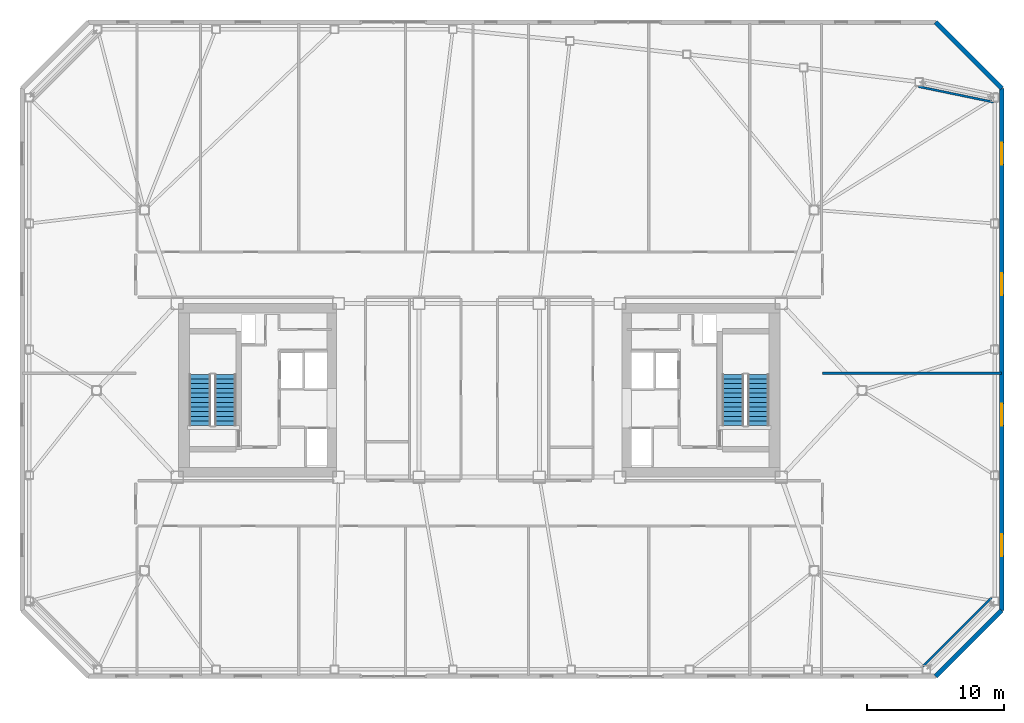
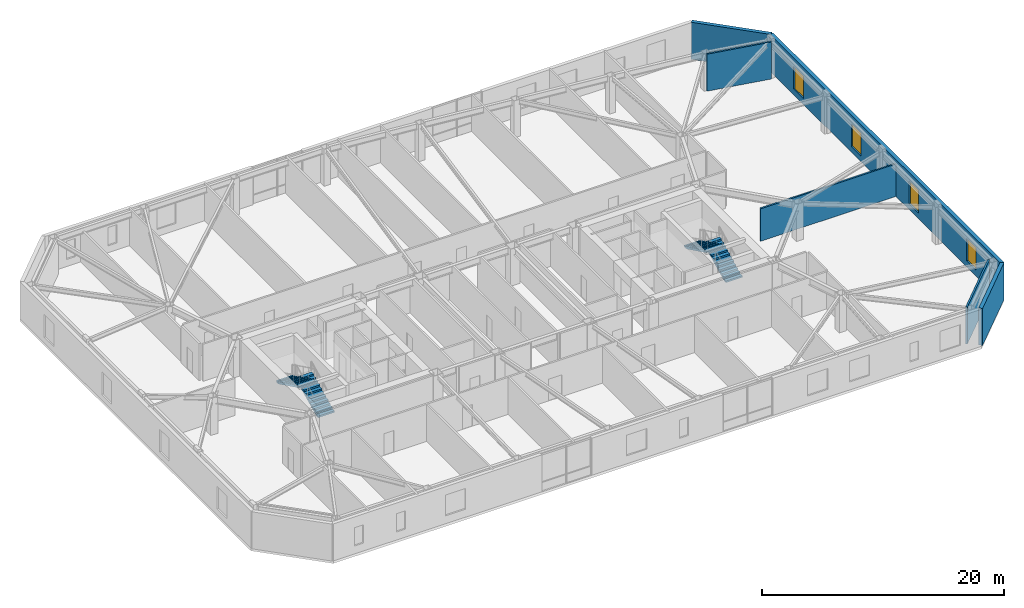
# One storey, part 14 of 18: 6 walls, 4 stair flights, 4 windows, 4 openings, 2 elements without a shape of their own.
"""IFC4 building model written with IfcOpenShell, lengths in metres."""

from ifc_helpers import new_model, si_unit, direction, frame, frame_2d, origin, place, context, subcontext, project, spatial, polyline, rectangle, outline, extrude, material, layer, layer_set, type_object, element, fill, aggregate, save


model = new_model("IFC4")

# Units and contexts
model_context = context("Model", 3, precision=1e-05, world=origin(), true_north=direction((0.0, 1.0)))
body_context = subcontext(model_context, "Body", "Model", "MODEL_VIEW")
ifc_project = project(units=[si_unit("LENGTHUNIT", "METRE"), si_unit("AREAUNIT", "SQUARE_METRE"), si_unit("VOLUMEUNIT", "CUBIC_METRE"), si_unit("PLANEANGLEUNIT", "RADIAN"), si_unit("MASSUNIT", "GRAM", prefix="KILO")], contexts=[model_context])

# Site, building, storey
site_placement = place(None, origin())
site = spatial("IfcSite", under=ifc_project, at=site_placement, CompositionType="ELEMENT")
building_placement = place(site_placement, origin())
building = spatial("IfcBuilding", under=site, at=building_placement, Name="Tavrogorsk Clinical Tower", CompositionType="ELEMENT")
storey_placement = place(building_placement, frame((0.0, 0.0, 196.199951171875)))
storey = spatial("IfcBuildingStorey", under=building, at=storey_placement, Name="L45", CompositionType="ELEMENT", Elevation=196.199951171875)

# Walls
ifc_material_1 = material(Name="Lightweight concrete blockwork B15", Category="masonry")
ifc_layer_1 = layer(ifc_material_1, 0.159912109375)
ifc_layer_set_1 = layer_set([ifc_layer_1], Name="Lightweight concrete blockwork B15")
wall_type_1 = type_object("IfcWallType", Name="PartitionWall_160", PredefinedType="PARTITIONING", material=ifc_layer_set_1)
wall_1_placement = place(storey_placement, frame((32.4794921875, -20.1796875, 0.0), z_axis=(0.0, 0.0, 1.0), x_axis=(0.707106781187, 0.707106781187, 0.0)))
element("IfcWall", 1, at=wall_1_placement, inside=storey, type_object=wall_type_1, Name="L45 Corner Exoskeleton Brace Furring Wall 1", PredefinedType="PARTITIONING", context=body_context, shape_type="SweptSolid", body=[
    extrude(rectangle(XDim=7.071044921875, YDim=0.159912109375, at=frame_2d((3.53564453125, 0.0))), origin(), (0.0, 0.0, 1.0), 3.739990234375),
])
wall_2_placement = place(storey_placement, frame((37.65087890625, 21.0869140625, 0.0), z_axis=(0.0, 0.0, 1.0), x_axis=(-0.979184618318, 0.202971631636, 0.0)))
element("IfcWall", 2, at=wall_2_placement, inside=storey, type_object=wall_type_1, Name="L45 Corner Exoskeleton Brace Furring Wall 2", PredefinedType="PARTITIONING", context=body_context, shape_type="SweptSolid", body=[
    extrude(rectangle(XDim=5.64599609375, YDim=0.159912109375, at=frame_2d((2.822998046875, 0.0))), origin(), (0.0, 0.0, 1.0), 3.739990234375),
])
wall_3_placement = place(storey_placement, frame((25.1298828125, 1.25, 0.0), z_axis=(0.0, 0.0, 1.0), x_axis=(1.0, 0.0, 0.0)))
element("IfcWall", 3, at=wall_3_placement, inside=storey, type_object=wall_type_1, Name="L45 E Wing Divider 1", PredefinedType="PARTITIONING", context=body_context, shape_type="SweptSolid", body=[
    extrude(rectangle(XDim=13.080078125, YDim=0.159912109375, at=frame_2d((6.5400390625, 0.0))), origin(), (0.0, 0.0, 1.0), 3.28515625),
])

# Wall, openings, windows
ifc_material_2 = material(Name="Precast concrete B45 with limestone cladding", Category="masonry")
ifc_layer_2 = layer(ifc_material_2, 0.340087890625)
ifc_layer_set_2 = layer_set([ifc_layer_2], Name="Precast concrete B45 with limestone cladding")
wall_type_2 = type_object("IfcWallType", Name="PrecastLimestoneWall_340", PredefinedType="STANDARD", material=ifc_layer_set_2)
wall_4_placement = place(storey_placement, frame((38.22998046875, -16.10009765625, 0.0), z_axis=(0.0, 0.0, 1.0), x_axis=(0.0, 1.0, 0.0)))
wall_4 = element("IfcWall", 4, at=wall_4_placement, inside=storey, type_object=wall_type_2, Name="L45 E Pleated Limestone Wing Wall", PredefinedType="STANDARD", context=body_context, shape_type="SweptSolid", body=[
    extrude(rectangle(XDim=38.2001953125, YDim=0.340087890625, at=frame_2d((19.10009765625, 0.0))), origin(), (0.0, 0.0, 1.0), 3.739990234375),
])
opening_1_placement = place(wall_4_placement, frame((3.97509765625, 0.0, 0.580078125)))
opening_1 = element("IfcOpeningElement", 5, at=opening_1_placement, cuts=wall_4, Name="Opening WN-07", PredefinedType="OPENING", context=body_context, shape_type="SweptSolid", body=[
    extrude(rectangle(XDim=1.60009765625, YDim=2.300048828125, at=frame_2d((0.800048828125, 1.14990234375))), frame((0.0, 0.179931640625, 0.0), z_axis=(0.0, -1.0, 0.0), x_axis=(1.0, 0.0, 0.0)), (0.0, 0.0, 1.0), 0.360107421875),
])
opening_2_placement = place(wall_4_placement, frame((13.52490234375, 0.0, 0.580078125)))
opening_2 = element("IfcOpeningElement", 6, at=opening_2_placement, cuts=wall_4, Name="Opening WN-07", PredefinedType="OPENING", context=body_context, shape_type="SweptSolid", body=[
    extrude(rectangle(XDim=1.60009765625, YDim=2.300048828125, at=frame_2d((0.800048828125, 1.14990234375))), frame((0.0, 0.179931640625, 0.0), z_axis=(0.0, -1.0, 0.0), x_axis=(1.0, 0.0, 0.0)), (0.0, 0.0, 1.0), 0.360107421875),
])
opening_3_placement = place(wall_4_placement, frame((23.074951171875, 0.0, 0.580078125)))
opening_3 = element("IfcOpeningElement", 7, at=opening_3_placement, cuts=wall_4, Name="Opening WN-07", PredefinedType="OPENING", context=body_context, shape_type="SweptSolid", body=[
    extrude(rectangle(XDim=1.60009765625, YDim=2.300048828125, at=frame_2d((0.800048828125, 1.14990234375))), frame((0.0, 0.179931640625, 0.0), z_axis=(0.0, -1.0, 0.0), x_axis=(1.0, 0.0, 0.0)), (0.0, 0.0, 1.0), 0.360107421875),
])
opening_4_placement = place(wall_4_placement, frame((32.625, 0.0, 0.580078125)))
opening_4 = element("IfcOpeningElement", 8, at=opening_4_placement, cuts=wall_4, Name="Opening WN-07", PredefinedType="OPENING", context=body_context, shape_type="SweptSolid", body=[
    extrude(rectangle(XDim=1.60009765625, YDim=2.300048828125, at=frame_2d((0.800048828125, 1.14990234375))), frame((0.0, 0.179931640625, 0.0), z_axis=(0.0, -1.0, 0.0), x_axis=(1.0, 0.0, 0.0)), (0.0, 0.0, 1.0), 0.360107421875),
])
ifc_material_3 = material(Name="Thermally broken aluminium frame and triple IGU", Category="aluminium")
window_type = type_object("IfcWindowType", Name="PleatSlotWin_1600x2300", PartitioningType="SINGLE_PANEL", PredefinedType="WINDOW", material=ifc_material_3)
window_1_placement = place(opening_1_placement, origin())
window_1 = element("IfcWindow", 9, at=window_1_placement, inside=storey, type_object=window_type, Name="L45 E Pleat Slot Window 1", OverallHeight=2.300048828125, OverallWidth=1.60009765625, PartitioningType="SINGLE_PANEL", PredefinedType="WINDOW", context=body_context, shape_type="SweptSolid", body=[
    extrude(rectangle(XDim=1.60009765625, YDim=2.300048828125, at=frame_2d((0.800048828125, 1.14990234375))), frame((0.0, 0.030029296875, 0.0), z_axis=(0.0, -1.0, 0.0), x_axis=(1.0, 0.0, 0.0)), (0.0, 0.0, 1.0), 0.06005859375),
])
fill(opening_1, window_1)
window_2_placement = place(opening_2_placement, origin())
window_2 = element("IfcWindow", 10, at=window_2_placement, inside=storey, type_object=window_type, Name="L45 E Pleat Slot Window 2", OverallHeight=2.300048828125, OverallWidth=1.60009765625, PartitioningType="SINGLE_PANEL", PredefinedType="WINDOW", context=body_context, shape_type="SweptSolid", body=[
    extrude(rectangle(XDim=1.60009765625, YDim=2.300048828125, at=frame_2d((0.800048828125, 1.14990234375))), frame((0.0, 0.030029296875, 0.0), z_axis=(0.0, -1.0, 0.0), x_axis=(1.0, 0.0, 0.0)), (0.0, 0.0, 1.0), 0.06005859375),
])
fill(opening_2, window_2)
window_3_placement = place(opening_3_placement, origin())
window_3 = element("IfcWindow", 11, at=window_3_placement, inside=storey, type_object=window_type, Name="L45 E Pleat Slot Window 3", OverallHeight=2.300048828125, OverallWidth=1.60009765625, PartitioningType="SINGLE_PANEL", PredefinedType="WINDOW", context=body_context, shape_type="SweptSolid", body=[
    extrude(rectangle(XDim=1.60009765625, YDim=2.300048828125, at=frame_2d((0.800048828125, 1.14990234375))), frame((0.0, 0.030029296875, 0.0), z_axis=(0.0, -1.0, 0.0), x_axis=(1.0, 0.0, 0.0)), (0.0, 0.0, 1.0), 0.06005859375),
])
fill(opening_3, window_3)
window_4_placement = place(opening_4_placement, origin())
window_4 = element("IfcWindow", 12, at=window_4_placement, inside=storey, type_object=window_type, Name="L45 E Pleat Slot Window 4", OverallHeight=2.300048828125, OverallWidth=1.60009765625, PartitioningType="SINGLE_PANEL", PredefinedType="WINDOW", context=body_context, shape_type="SweptSolid", body=[
    extrude(rectangle(XDim=1.60009765625, YDim=2.300048828125, at=frame_2d((0.800048828125, 1.14990234375))), frame((0.0, 0.030029296875, 0.0), z_axis=(0.0, -1.0, 0.0), x_axis=(1.0, 0.0, 0.0)), (0.0, 0.0, 1.0), 0.06005859375),
])
fill(opening_4, window_4)

# Walls
for number, where, z_axis, x_axis, name in (
    (13, (33.39990234375, -20.929931640625, 0.0), (0.0, 0.0, 1.0), (0.707124652085, 0.707088909836, 0.0), "L45 Chamfered Corner Wall 1"),
    (14, (38.22998046875, 22.10009765625, 0.0), (0.0, 0.0, 1.0), (-0.707124652085, 0.707088909836, 0.0), "L45 Chamfered Corner Wall 2"),
):
    element("IfcWall", number, at=place(storey_placement, frame(where, z_axis=z_axis, x_axis=x_axis)), inside=storey, type_object=wall_type_2, Name=name, PredefinedType="STANDARD", context=body_context, shape_type="SweptSolid", body=[
        extrude(rectangle(XDim=6.83056640625, YDim=0.340087890625, at=frame_2d((3.415283203125, 0.0))), origin(), (0.0, 0.0, 1.0), 3.739990234375),
    ])

# Stair, stair flights
ifc_material_4 = material(Name="Concrete B60", Category="concrete")
stair_type = type_object("IfcStairType", Name="CoreStairAssembly", PredefinedType="HALF_TURN_STAIR", material=ifc_material_4)
stair_1_placement = place(storey_placement, origin())
stair_1 = element("IfcStair", 15, at=stair_1_placement, inside=storey, type_object=stair_type, Name="L45 ST-W", PredefinedType="HALF_TURN_STAIR")
ifc_material_5 = material(Name="Concrete B60", Category="concrete")
stair_flight_type = type_object("IfcStairFlightType", Name="CoreStairFlight", PredefinedType="STRAIGHT", material=ifc_material_5)
stair_flight_1_placement = place(storey_placement, frame((-18.574951171875, -2.574951171875, 0.0), z_axis=(0.0, 0.0, 1.0), x_axis=(0.0, 1.0, 0.0)))
stair_flight_1 = element("IfcStairFlight", 16, at=stair_flight_1_placement, type_object=stair_flight_type, Name="ST-W flight 1", NumberOfRisers=12, NumberOfTreads=11, PredefinedType="STRAIGHT", RiserHeight=0.166666667, TreadLength=0.34, context=body_context, shape_type="SweptSolid", body=[
    extrude(outline(polyline([(0.0, 0.0), (0.0, 0.166748046875), (0.340087890625, 0.166748046875), (0.340087890625, 0.333251953125), (0.679931640625, 0.333251953125), (0.679931640625, 0.5), (1.02001953125, 0.5), (1.02001953125, 0.666748046875), (1.360107421875, 0.666748046875), (1.360107421875, 0.833251953125), (1.699951171875, 0.833251953125), (1.699951171875, 1.0), (2.0400390625, 1.0), (2.0400390625, 1.166748046875), (2.3798828125, 1.166748046875), (2.3798828125, 1.333251953125), (2.719970703125, 1.333251953125), (2.719970703125, 1.5), (3.06005859375, 1.5), (3.06005859375, 1.666748046875), (3.39990234375, 1.666748046875), (3.39990234375, 1.833251953125), (3.739990234375, 1.833251953125), (3.739990234375, 2.0), (3.739990234375, 1.66650390625), (0.340576171875, 0.0), (0.0, 0.0)])), frame((0.0, 0.77490234375, 0.0), z_axis=(0.0, -1.0, 0.0), x_axis=(1.0, 0.0, 0.0)), (0.0, 0.0, 1.0), 1.550048828125),
])
stair_flight_2_placement = place(storey_placement, frame((-20.425048828125, 1.1650390625, 2.0), z_axis=(0.0, 0.0, 1.0), x_axis=(0.0, -1.0, 0.0)))
stair_flight_2 = element("IfcStairFlight", 17, at=stair_flight_2_placement, type_object=stair_flight_type, Name="ST-W flight 2", NumberOfRisers=12, NumberOfTreads=11, PredefinedType="STRAIGHT", RiserHeight=0.166666667, TreadLength=0.34, context=body_context, shape_type="SweptSolid", body=[
    extrude(outline(polyline([(0.0, 0.0), (0.0, 0.166748046875), (0.340087890625, 0.166748046875), (0.340087890625, 0.333251953125), (0.679931640625, 0.333251953125), (0.679931640625, 0.5), (1.02001953125, 0.5), (1.02001953125, 0.666748046875), (1.360107421875, 0.666748046875), (1.360107421875, 0.833251953125), (1.699951171875, 0.833251953125), (1.699951171875, 1.0), (2.0400390625, 1.0), (2.0400390625, 1.166748046875), (2.3798828125, 1.166748046875), (2.3798828125, 1.333251953125), (2.719970703125, 1.333251953125), (2.719970703125, 1.5), (3.06005859375, 1.5), (3.06005859375, 1.666748046875), (3.39990234375, 1.666748046875), (3.39990234375, 1.833251953125), (3.739990234375, 1.833251953125), (3.739990234375, 2.0), (3.739990234375, 1.66650390625), (0.340576171875, 0.0), (0.0, 0.0)])), frame((0.0, 0.77490234375, 0.0), z_axis=(0.0, -1.0, 0.0), x_axis=(1.0, 0.0, 0.0)), (0.0, 0.0, 1.0), 1.550048828125),
])
aggregate(stair_1, [stair_flight_1, stair_flight_2])

stair_2_placement = place(storey_placement, origin())
stair_2 = element("IfcStair", 18, at=stair_2_placement, inside=storey, type_object=stair_type, Name="L45 ST-E", PredefinedType="HALF_TURN_STAIR")
stair_flight_3_placement = place(storey_placement, frame((20.425048828125, -2.574951171875, 0.0), z_axis=(0.0, 0.0, 1.0), x_axis=(0.0, 1.0, 0.0)))
stair_flight_3 = element("IfcStairFlight", 19, at=stair_flight_3_placement, type_object=stair_flight_type, Name="ST-E flight 1", NumberOfRisers=12, NumberOfTreads=11, PredefinedType="STRAIGHT", RiserHeight=0.166666667, TreadLength=0.34, context=body_context, shape_type="SweptSolid", body=[
    extrude(outline(polyline([(0.0, 0.0), (0.0, 0.166748046875), (0.340087890625, 0.166748046875), (0.340087890625, 0.333251953125), (0.679931640625, 0.333251953125), (0.679931640625, 0.5), (1.02001953125, 0.5), (1.02001953125, 0.666748046875), (1.360107421875, 0.666748046875), (1.360107421875, 0.833251953125), (1.699951171875, 0.833251953125), (1.699951171875, 1.0), (2.0400390625, 1.0), (2.0400390625, 1.166748046875), (2.3798828125, 1.166748046875), (2.3798828125, 1.333251953125), (2.719970703125, 1.333251953125), (2.719970703125, 1.5), (3.06005859375, 1.5), (3.06005859375, 1.666748046875), (3.39990234375, 1.666748046875), (3.39990234375, 1.833251953125), (3.739990234375, 1.833251953125), (3.739990234375, 2.0), (3.739990234375, 1.66650390625), (0.340576171875, 0.0), (0.0, 0.0)])), frame((0.0, 0.77490234375, 0.0), z_axis=(0.0, -1.0, 0.0), x_axis=(1.0, 0.0, 0.0)), (0.0, 0.0, 1.0), 1.550048828125),
])
stair_flight_4_placement = place(storey_placement, frame((18.574951171875, 1.1650390625, 2.0), z_axis=(0.0, 0.0, 1.0), x_axis=(0.0, -1.0, 0.0)))
stair_flight_4 = element("IfcStairFlight", 20, at=stair_flight_4_placement, type_object=stair_flight_type, Name="ST-E flight 2", NumberOfRisers=12, NumberOfTreads=11, PredefinedType="STRAIGHT", RiserHeight=0.166666667, TreadLength=0.34, context=body_context, shape_type="SweptSolid", body=[
    extrude(outline(polyline([(0.0, 0.0), (0.0, 0.166748046875), (0.340087890625, 0.166748046875), (0.340087890625, 0.333251953125), (0.679931640625, 0.333251953125), (0.679931640625, 0.5), (1.02001953125, 0.5), (1.02001953125, 0.666748046875), (1.360107421875, 0.666748046875), (1.360107421875, 0.833251953125), (1.699951171875, 0.833251953125), (1.699951171875, 1.0), (2.0400390625, 1.0), (2.0400390625, 1.166748046875), (2.3798828125, 1.166748046875), (2.3798828125, 1.333251953125), (2.719970703125, 1.333251953125), (2.719970703125, 1.5), (3.06005859375, 1.5), (3.06005859375, 1.666748046875), (3.39990234375, 1.666748046875), (3.39990234375, 1.833251953125), (3.739990234375, 1.833251953125), (3.739990234375, 2.0), (3.739990234375, 1.66650390625), (0.340576171875, 0.0), (0.0, 0.0)])), frame((0.0, 0.77490234375, 0.0), z_axis=(0.0, -1.0, 0.0), x_axis=(1.0, 0.0, 0.0)), (0.0, 0.0, 1.0), 1.550048828125),
])
aggregate(stair_2, [stair_flight_3, stair_flight_4])

save(model, "model.ifc")
